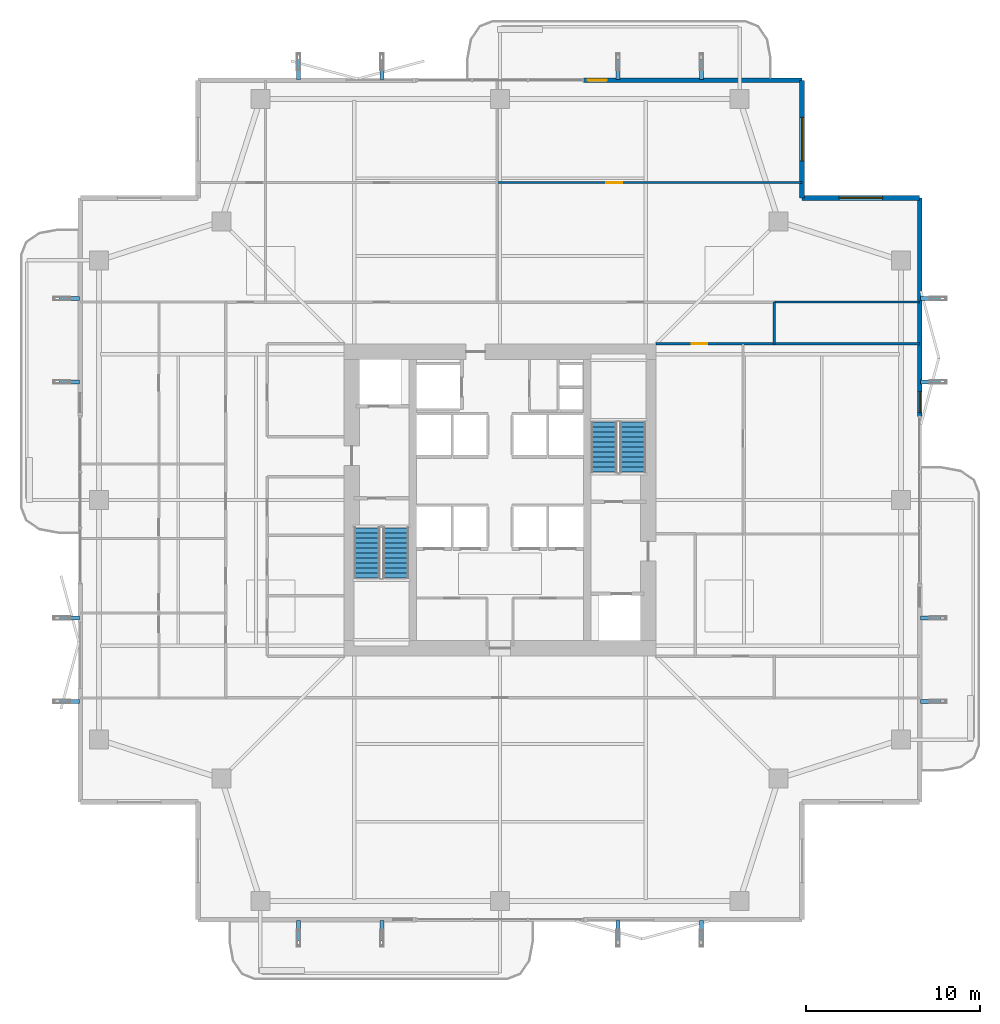
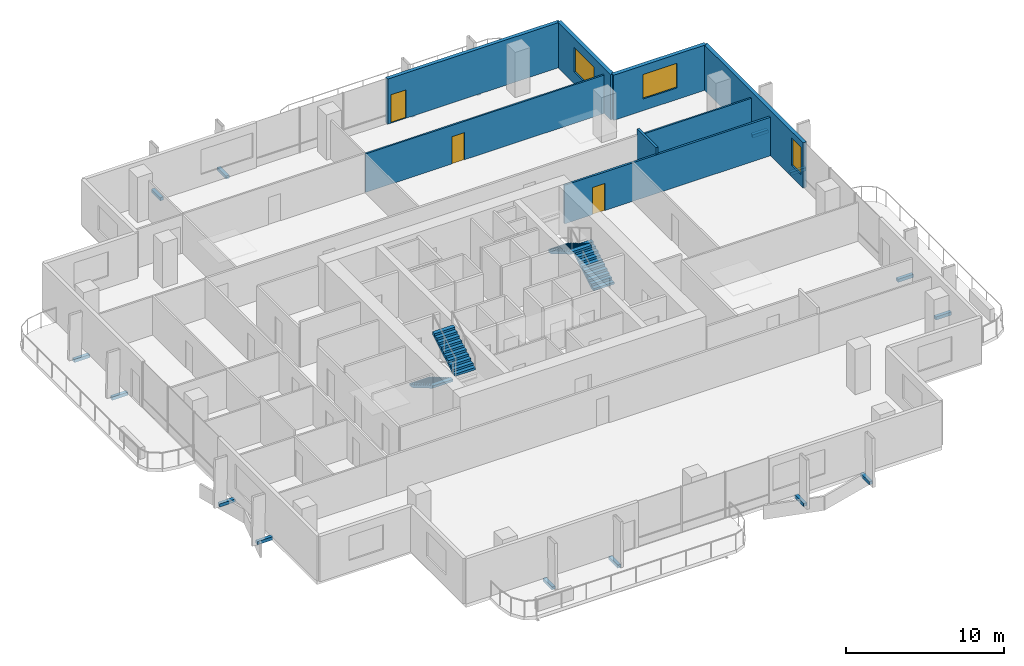
# One storey, part 22 of 25: 16 discrete accessories, 8 walls, 4 stair flights, 3 doors, 3 windows, 6 openings, 2 elements without a shape of their own.
"""IFC4 building model written with IfcOpenShell, lengths in metres."""

from ifc_helpers import new_model, si_unit, direction, frame, frame_2d, origin, origin_2d, place, context, subcontext, project, spatial, polyline, rectangle, outline, extrude, material, layer, layer_set, type_object, element, fill, aggregate, save


model = new_model("IFC4")

# Units and contexts
model_context = context("Model", 3, precision=1e-05, world=origin(), true_north=direction((0.0, 1.0)))
body_context = subcontext(model_context, "Body", "Model", "MODEL_VIEW")
ifc_project = project(units=[si_unit("LENGTHUNIT", "METRE"), si_unit("AREAUNIT", "SQUARE_METRE"), si_unit("VOLUMEUNIT", "CUBIC_METRE"), si_unit("PLANEANGLEUNIT", "RADIAN"), si_unit("MASSUNIT", "GRAM", prefix="KILO")], contexts=[model_context])

# Site, building, storey
site_placement = place(None, origin())
site = spatial("IfcSite", under=ifc_project, at=site_placement, CompositionType="ELEMENT")
building_placement = place(site_placement, origin())
building = spatial("IfcBuilding", under=site, at=building_placement, Name="Belovzor Exchange Tower", CompositionType="ELEMENT")
storey_placement = place(building_placement, frame((0.0, 0.0, 172.050048828125)))
storey = spatial("IfcBuildingStorey", under=building, at=storey_placement, Name="L42", CompositionType="ELEMENT", Elevation=172.050048828125)

# Wall, opening, door
ifc_material_1 = material(Name="Acoustic Plasterboard on Galvanised Studs", Category="gypsum")
ifc_layer_1 = layer(ifc_material_1, 0.1201171875)
ifc_layer_set_1 = layer_set([ifc_layer_1], Name="Acoustic Plasterboard on Galvanised Studs")
wall_type_1 = type_object("IfcWallType", Name="Acoustic Double-Stud Partition Wall 120", PredefinedType="PARTITIONING", material=ifc_layer_set_1)
wall_1_placement = place(storey_placement, frame((28.631103515625, 47.0830078125, 0.0), z_axis=(0.0, 0.0, 1.0), x_axis=(1.0, 0.0, 0.0)))
wall_1 = element("IfcWall", 1, at=wall_1_placement, inside=storey, type_object=wall_type_1, Name="W-P120 Partition Wall W-L42-NHDIV-2", PredefinedType="PARTITIONING", context=body_context, shape_type="SweptSolid", body=[
    extrude(rectangle(XDim=17.56884765625, YDim=0.1201171875, at=frame_2d((8.784423828125, 0.0))), origin(), (0.0, 0.0, 1.0), 2.97998046875),
])
opening_1_placement = place(wall_1_placement, frame((6.301025390625, 0.0, 0.0)))
opening_1 = element("IfcOpeningElement", 2, at=opening_1_placement, cuts=wall_1, Name="Opening D-INT-090", PredefinedType="OPENING", context=body_context, shape_type="SweptSolid", body=[
    extrude(rectangle(XDim=0.89990234375, YDim=2.10009765625, at=frame_2d((0.449951171875, 1.050048828125))), frame((0.0, 0.070068359375, 0.0), z_axis=(0.0, -1.0, 0.0), x_axis=(1.0, 0.0, 0.0)), (0.0, 0.0, 1.0), 0.14013671875),
])
ifc_material_2 = material(Name="Veneered Hardwood Acoustic Leaf", Category="wood")
door_type_1 = type_object("IfcDoorType", Name="Trading Suite Acoustic Single Door 900x2100", OperationType="NOTDEFINED", PredefinedType="DOOR", material=ifc_material_2)
door_1_placement = place(opening_1_placement, origin())
door_1 = element("IfcDoor", 3, at=door_1_placement, inside=storey, type_object=door_type_1, Name="D-INT-090 Trading Suite Acoustic Single Door 900x2100", OperationType="SINGLE_SWING_RIGHT", OverallHeight=2.10009765625, OverallWidth=0.89990234375, PredefinedType="DOOR", context=body_context, shape_type="SweptSolid", body=[
    extrude(rectangle(XDim=0.89990234375, YDim=2.10009765625, at=frame_2d((0.449951171875, 1.050048828125))), frame((0.0, 0.02490234375, 0.0), z_axis=(0.0, -1.0, 0.0), x_axis=(1.0, 0.0, 0.0)), (0.0, 0.0, 1.0), 0.050048828125),
])
fill(opening_1, door_1)

# Walls
wall_2_placement = place(storey_placement, frame((44.60009765625, 40.199951171875, 0.0), z_axis=(0.0, 0.0, 1.0), x_axis=(1.0, 0.0, 0.0)))
element("IfcWall", 4, at=wall_2_placement, inside=storey, type_object=wall_type_1, Name="W-P120 Partition Wall W-L42-END-NE", PredefinedType="PARTITIONING", context=body_context, shape_type="SweptSolid", body=[
    extrude(rectangle(XDim=8.369873046875, YDim=0.1201171875, at=frame_2d((4.18505859375, 0.0))), origin(), (0.0, 0.0, 1.0), 2.97998046875),
])
ifc_material_3 = material(Name="Fire-Rated Gypsum Block and Mineral Wool", Category="gypsum")
ifc_layer_2 = layer(ifc_material_3, 0.14990234375)
ifc_layer_set_2 = layer_set([ifc_layer_2], Name="Fire-Rated Gypsum Block and Mineral Wool")
wall_type_2 = type_object("IfcWallType", Name="Fire-Rated Gypsum Block Corridor Wall 150", PredefinedType="PARTITIONING", material=ifc_layer_set_2)
wall_3_placement = place(storey_placement, frame((44.60009765625, 37.800048828125, 0.0), z_axis=(0.0, 0.0, 1.0), x_axis=(0.0, 1.0, 0.0)))
element("IfcWall", 5, at=wall_3_placement, inside=storey, type_object=wall_type_2, Name="W-P150 Partition Wall W-L42-END-EN", PredefinedType="PARTITIONING", context=body_context, shape_type="SweptSolid", body=[
    extrude(rectangle(XDim=2.39990234375, YDim=0.14990234375, at=frame_2d((1.199951171875, 0.0))), origin(), (0.0, 0.0, 1.0), 3.494873046875),
])

# Wall, opening, door
wall_4_placement = place(storey_placement, frame((37.800048828125, 37.800048828125, 0.0), z_axis=(0.0, 0.0, 1.0), x_axis=(1.0, 0.0, 0.0)))
wall_4 = element("IfcWall", 6, at=wall_4_placement, inside=storey, type_object=wall_type_2, Name="W-P150 Partition Wall W-L42-CN-IN", PredefinedType="PARTITIONING", context=body_context, shape_type="SweptSolid", body=[
    extrude(rectangle(XDim=15.169921875, YDim=0.14990234375, at=frame_2d((7.5849609375, 0.0))), origin(), (0.0, 0.0, 1.0), 2.97998046875),
])
opening_2_placement = place(wall_4_placement, frame((2.050048828125, 0.0, 0.0)))
opening_2 = element("IfcOpeningElement", 7, at=opening_2_placement, cuts=wall_4, Name="Opening D-INT-090", PredefinedType="OPENING", context=body_context, shape_type="SweptSolid", body=[
    extrude(rectangle(XDim=0.89990234375, YDim=2.10009765625, at=frame_2d((0.449951171875, 1.050048828125))), frame((0.0, 0.0849609375, 0.0), z_axis=(0.0, -1.0, 0.0), x_axis=(1.0, 0.0, 0.0)), (0.0, 0.0, 1.0), 0.169921875),
])
door_2_placement = place(opening_2_placement, origin())
door_2 = element("IfcDoor", 8, at=door_2_placement, inside=storey, type_object=door_type_1, Name="D-INT-090 Trading Suite Acoustic Single Door 900x2100", OperationType="SINGLE_SWING_RIGHT", OverallHeight=2.10009765625, OverallWidth=0.89990234375, PredefinedType="DOOR", context=body_context, shape_type="SweptSolid", body=[
    extrude(rectangle(XDim=0.89990234375, YDim=2.10009765625, at=frame_2d((0.449951171875, 1.050048828125))), frame((0.0, 0.02490234375, 0.0), z_axis=(0.0, -1.0, 0.0), x_axis=(1.0, 0.0, 0.0)), (0.0, 0.0, 1.0), 0.050048828125),
])
fill(opening_2, door_2)

# Wall, opening, window
ifc_material_4 = material(Name="Precast concrete C40/50", Category="concrete")
ifc_layer_3 = layer(ifc_material_4, 0.280029296875)
ifc_layer_set_3 = layer_set([ifc_layer_3], Name="Precast concrete C40/50")
wall_type_3 = type_object("IfcWallType", Name="Precast Concrete Notched Corner Frame Wall 280", PredefinedType="SOLIDWALL", material=ifc_layer_set_3)
wall_5_placement = place(storey_placement, frame((46.199951171875, 52.969970703125, 0.0), z_axis=(0.0, 0.0, 1.0), x_axis=(0.0, -1.0, 0.0)))
wall_5 = element("IfcWall", 9, at=wall_5_placement, inside=storey, type_object=wall_type_3, Name="W-CRN280 Precast Concrete Notched Corner Frame Wall 280 L42", PredefinedType="SOLIDWALL", context=body_context, shape_type="SweptSolid", body=[
    extrude(rectangle(XDim=6.77001953125, YDim=0.280029296875, at=frame_2d((3.385009765625, 0.0))), origin(), (0.0, 0.0, 1.0), 3.494873046875),
])
opening_3_placement = place(wall_5_placement, frame((2.135009765625, 0.0, 0.89990234375)))
opening_3 = element("IfcOpeningElement", 10, at=opening_3_placement, cuts=wall_5, Name="Opening WN-CRN250", PredefinedType="OPENING", context=body_context, shape_type="SweptSolid", body=[
    extrude(rectangle(XDim=2.5, YDim=1.89990234375, at=frame_2d((1.25, 0.949951171875))), frame((0.0, 0.14990234375, 0.0), z_axis=(0.0, -1.0, 0.0), x_axis=(1.0, 0.0, 0.0)), (0.0, 0.0, 1.0), 0.300048828125),
])
ifc_material_5 = material(Name="Thermally Broken Aluminium and Triple Glazing", Category="aluminium")
window_type_1 = type_object("IfcWindowType", Name="Streamline Moderne Corner Wrap Ribbon Window 2500x1900", PartitioningType="SINGLE_PANEL", PredefinedType="WINDOW", material=ifc_material_5)
window_1_placement = place(opening_3_placement, origin())
window_1 = element("IfcWindow", 11, at=window_1_placement, inside=storey, type_object=window_type_1, Name="WN-CRN250 Streamline Moderne Corner Wrap Ribbon Window 2500x1900", OverallHeight=1.89990234375, OverallWidth=2.5, PartitioningType="SINGLE_PANEL", PredefinedType="WINDOW", context=body_context, shape_type="SweptSolid", body=[
    extrude(rectangle(XDim=2.5, YDim=1.89990234375, at=frame_2d((1.25, 0.949951171875))), frame((0.0, 0.030029296875, 0.0), z_axis=(0.0, -1.0, 0.0), x_axis=(1.0, 0.0, 0.0)), (0.0, 0.0, 1.0), 0.06005859375),
])
fill(opening_3, window_1)

wall_6_placement = place(storey_placement, frame((46.199951171875, 46.199951171875, 0.0), z_axis=(0.0, 0.0, 1.0), x_axis=(1.0, 0.0, 0.0)))
wall_6 = element("IfcWall", 12, at=wall_6_placement, inside=storey, type_object=wall_type_3, Name="W-CRN280 Precast Concrete Notched Corner Frame Wall 280 L42", PredefinedType="SOLIDWALL", context=body_context, shape_type="SweptSolid", body=[
    extrude(rectangle(XDim=6.77001953125, YDim=0.280029296875, at=frame_2d((3.385009765625, 0.0))), origin(), (0.0, 0.0, 1.0), 3.494873046875),
])
opening_4_placement = place(wall_6_placement, frame((2.135009765625, 0.0, 0.89990234375)))
opening_4 = element("IfcOpeningElement", 13, at=opening_4_placement, cuts=wall_6, Name="Opening WN-CRN250", PredefinedType="OPENING", context=body_context, shape_type="SweptSolid", body=[
    extrude(rectangle(XDim=2.5, YDim=1.89990234375, at=frame_2d((1.25, 0.949951171875))), frame((0.0, 0.14990234375, 0.0), z_axis=(0.0, -1.0, 0.0), x_axis=(1.0, 0.0, 0.0)), (0.0, 0.0, 1.0), 0.300048828125),
])
window_2_placement = place(opening_4_placement, origin())
window_2 = element("IfcWindow", 14, at=window_2_placement, inside=storey, type_object=window_type_1, Name="WN-CRN250 Streamline Moderne Corner Wrap Ribbon Window 2500x1900", OverallHeight=1.89990234375, OverallWidth=2.5, PartitioningType="SINGLE_PANEL", PredefinedType="WINDOW", context=body_context, shape_type="SweptSolid", body=[
    extrude(rectangle(XDim=2.5, YDim=1.89990234375, at=frame_2d((1.25, 0.949951171875))), frame((0.0, 0.030029296875, 0.0), z_axis=(0.0, -1.0, 0.0), x_axis=(1.0, 0.0, 0.0)), (0.0, 0.0, 1.0), 0.06005859375),
])
fill(opening_4, window_2)

# Wall, opening, door
ifc_material_6 = material(Name="Precast concrete C40/50", Category="concrete")
ifc_layer_4 = layer(ifc_material_6, 0.260009765625)
ifc_layer_set_4 = layer_set([ifc_layer_4], Name="Precast concrete C40/50")
wall_type_4 = type_object("IfcWallType", Name="Precast Concrete Perimeter Loggia Frame Wall 260", PredefinedType="SOLIDWALL", material=ifc_layer_set_4)
wall_7_placement = place(storey_placement, frame((33.60009765625, 52.969970703125, 0.0), z_axis=(0.0, 0.0, 1.0), x_axis=(1.0, 0.0, 0.0)))
wall_7 = element("IfcWall", 15, at=wall_7_placement, inside=storey, type_object=wall_type_4, Name="W-EXT260 Precast Concrete Perimeter Loggia Frame Wall 260 L42", PredefinedType="SOLIDWALL", context=body_context, shape_type="SweptSolid", body=[
    extrude(rectangle(XDim=12.599853515625, YDim=0.260009765625, at=frame_2d((6.2998046875, 0.0))), origin(), (0.0, 0.0, 1.0), 3.494873046875),
])
opening_5_placement = place(wall_7_placement, frame((0.25, 0.0, 0.0)))
opening_5 = element("IfcOpeningElement", 16, at=opening_5_placement, cuts=wall_7, Name="Opening D-BAL110", PredefinedType="OPENING", context=body_context, shape_type="SweptSolid", body=[
    extrude(rectangle(XDim=1.10009765625, YDim=2.199951171875, at=frame_2d((0.550048828125, 1.10009765625))), frame((0.0, 0.139892578125, 0.0), z_axis=(0.0, -1.0, 0.0), x_axis=(1.0, 0.0, 0.0)), (0.0, 0.0, 1.0), 0.280029296875),
])
ifc_material_7 = material(Name="Thermally Broken Anodised Aluminium and Laminated Glass", Category="aluminium")
door_type_2 = type_object("IfcDoorType", Name="Planted Loggia Terrace Glazed Door 1100x2200", OperationType="SINGLE_SWING_LEFT", PredefinedType="DOOR", material=ifc_material_7)
door_3_placement = place(opening_5_placement, origin())
door_3 = element("IfcDoor", 17, at=door_3_placement, inside=storey, type_object=door_type_2, Name="D-BAL110 Balcony Terrace Door L42 N", OperationType="SINGLE_SWING_RIGHT", OverallHeight=2.199951171875, OverallWidth=1.10009765625, PredefinedType="DOOR", context=body_context, shape_type="SweptSolid", body=[
    extrude(rectangle(XDim=1.10009765625, YDim=2.199951171875, at=frame_2d((0.550048828125, 1.10009765625))), frame((0.0, 0.02490234375, 0.0), z_axis=(0.0, -1.0, 0.0), x_axis=(1.0, 0.0, 0.0)), (0.0, 0.0, 1.0), 0.050048828125),
])
fill(opening_5, door_3)

# Wall, opening, window
wall_8_placement = place(storey_placement, frame((52.969970703125, 46.199951171875, 0.0), z_axis=(0.0, 0.0, 1.0), x_axis=(0.0, -1.0, 0.0)))
wall_8 = element("IfcWall", 18, at=wall_8_placement, inside=storey, type_object=wall_type_4, Name="W-EXT260 Precast Concrete Perimeter Loggia Frame Wall 260 L42", PredefinedType="SOLIDWALL", context=body_context, shape_type="SweptSolid", body=[
    extrude(rectangle(XDim=12.599853515625, YDim=0.260009765625, at=frame_2d((6.2998046875, 0.0))), origin(), (0.0, 0.0, 1.0), 3.494873046875),
])
opening_6_placement = place(wall_8_placement, frame((11.14990234375, 0.0, 0.89990234375)))
opening_6 = element("IfcOpeningElement", 19, at=opening_6_placement, cuts=wall_8, Name="Opening WN-CRN120", PredefinedType="OPENING", context=body_context, shape_type="SweptSolid", body=[
    extrude(rectangle(XDim=1.199951171875, YDim=2.10009765625, at=frame_2d((0.60009765625, 1.050048828125))), frame((0.0, 0.139892578125, 0.0), z_axis=(0.0, -1.0, 0.0), x_axis=(1.0, 0.0, 0.0)), (0.0, 0.0, 1.0), 0.280029296875),
])
ifc_material_8 = material(Name="Thermally Broken Aluminium and Triple Glazing", Category="aluminium")
window_type_2 = type_object("IfcWindowType", Name="Streamline Notched Corner Window 1200x2100", PartitioningType="SINGLE_PANEL", PredefinedType="WINDOW", material=ifc_material_8)
window_3_placement = place(opening_6_placement, origin())
window_3 = element("IfcWindow", 20, at=window_3_placement, inside=storey, type_object=window_type_2, Name="WN-CRN120 Streamline Notched Corner Window 1200x2100", OverallHeight=2.10009765625, OverallWidth=1.199951171875, PartitioningType="SINGLE_PANEL", PredefinedType="WINDOW", context=body_context, shape_type="SweptSolid", body=[
    extrude(rectangle(XDim=1.199951171875, YDim=2.10009765625, at=frame_2d((0.60009765625, 1.050048828125))), frame((0.0, 0.030029296875, 0.0), z_axis=(0.0, -1.0, 0.0), x_axis=(1.0, 0.0, 0.0)), (0.0, 0.0, 1.0), 0.06005859375),
])
fill(opening_6, window_3)

# Stair, stair flights
ifc_material_9 = material(Name="Concrete C40/50", Category="concrete")
stair_type = type_object("IfcStairType", Name="Reinforced Concrete Dogleg Escape Stair 1350", PredefinedType="HALF_TURN_STAIR", material=ifc_material_9)
stair_1_placement = place(storey_placement, origin())
stair_1 = element("IfcStair", 21, at=stair_1_placement, inside=storey, type_object=stair_type, Name="L42 ST-1", PredefinedType="HALF_TURN_STAIR")
ifc_material_10 = material(Name="Concrete C40/50", Category="concrete")
stair_flight_type = type_object("IfcStairFlightType", Name="Reinforced Concrete Stair Flight 1350", PredefinedType="STRAIGHT", material=ifc_material_10)
stair_flight_1_placement = place(storey_placement, frame((21.14990234375, 27.199951171875, 0.0), z_axis=(0.0, 0.0, 1.0), x_axis=(0.0, -1.0, 0.0)))
stair_flight_1 = element("IfcStairFlight", 22, at=stair_flight_1_placement, type_object=stair_flight_type, Name="ST-1 flight 1", NumberOfRisers=11, NumberOfTreads=10, PredefinedType="STRAIGHT", RiserHeight=0.170454545, TreadLength=0.29, context=body_context, shape_type="SweptSolid", body=[
    extrude(outline(polyline([(0.0, 0.0), (0.0, 0.17041015625), (0.2900390625, 0.17041015625), (0.2900390625, 0.3408203125), (0.580078125, 0.3408203125), (0.580078125, 0.511474609375), (0.8701171875, 0.511474609375), (0.8701171875, 0.681884765625), (1.159912109375, 0.681884765625), (1.159912109375, 0.852294921875), (1.449951171875, 0.852294921875), (1.449951171875, 1.022705078125), (1.739990234375, 1.022705078125), (1.739990234375, 1.193115234375), (2.030029296875, 1.193115234375), (2.030029296875, 1.363525390625), (2.320068359375, 1.363525390625), (2.320068359375, 1.5341796875), (2.610107421875, 1.5341796875), (2.610107421875, 1.70458984375), (2.89990234375, 1.70458984375), (2.89990234375, 1.875), (2.89990234375, 1.53076171875), (0.2958984375, 0.0), (0.0, 0.0)])), frame((0.0, 0.75, 0.0), z_axis=(0.0, -1.0, 0.0), x_axis=(1.0, 0.0, 0.0)), (0.0, 0.0, 1.0), 1.5),
])
stair_flight_2_placement = place(storey_placement, frame((22.800048828125, 24.300048828125, 1.875), z_axis=(0.0, 0.0, 1.0), x_axis=(0.0, 1.0, 0.0)))
stair_flight_2 = element("IfcStairFlight", 23, at=stair_flight_2_placement, type_object=stair_flight_type, Name="ST-1 flight 2", NumberOfRisers=11, NumberOfTreads=10, PredefinedType="STRAIGHT", RiserHeight=0.170454545, TreadLength=0.29, context=body_context, shape_type="SweptSolid", body=[
    extrude(outline(polyline([(0.0, 0.0), (0.0, 0.17041015625), (0.2900390625, 0.17041015625), (0.2900390625, 0.3408203125), (0.580078125, 0.3408203125), (0.580078125, 0.511474609375), (0.8701171875, 0.511474609375), (0.8701171875, 0.681884765625), (1.159912109375, 0.681884765625), (1.159912109375, 0.852294921875), (1.449951171875, 0.852294921875), (1.449951171875, 1.022705078125), (1.739990234375, 1.022705078125), (1.739990234375, 1.193115234375), (2.030029296875, 1.193115234375), (2.030029296875, 1.363525390625), (2.320068359375, 1.363525390625), (2.320068359375, 1.5341796875), (2.610107421875, 1.5341796875), (2.610107421875, 1.70458984375), (2.89990234375, 1.70458984375), (2.89990234375, 1.875), (2.89990234375, 1.53076171875), (0.2958984375, 0.0), (0.0, 0.0)])), frame((0.0, 0.75, 0.0), z_axis=(0.0, -1.0, 0.0), x_axis=(1.0, 0.0, 0.0)), (0.0, 0.0, 1.0), 1.5),
])
aggregate(stair_1, [stair_flight_1, stair_flight_2])

stair_2_placement = place(storey_placement, origin())
stair_2 = element("IfcStair", 24, at=stair_2_placement, inside=storey, type_object=stair_type, Name="L42 ST-2", PredefinedType="HALF_TURN_STAIR")
stair_flight_3_placement = place(storey_placement, frame((36.449951171875, 30.39990234375, 0.0), z_axis=(0.0, 0.0, 1.0), x_axis=(0.0, 1.0, 0.0)))
stair_flight_3 = element("IfcStairFlight", 25, at=stair_flight_3_placement, type_object=stair_flight_type, Name="ST-2 flight 1", NumberOfRisers=11, NumberOfTreads=10, PredefinedType="STRAIGHT", RiserHeight=0.170454545, TreadLength=0.29, context=body_context, shape_type="SweptSolid", body=[
    extrude(outline(polyline([(0.0, 0.0), (0.0, 0.17041015625), (0.2900390625, 0.17041015625), (0.2900390625, 0.3408203125), (0.580078125, 0.3408203125), (0.580078125, 0.511474609375), (0.8701171875, 0.511474609375), (0.8701171875, 0.681884765625), (1.159912109375, 0.681884765625), (1.159912109375, 0.852294921875), (1.449951171875, 0.852294921875), (1.449951171875, 1.022705078125), (1.739990234375, 1.022705078125), (1.739990234375, 1.193115234375), (2.030029296875, 1.193115234375), (2.030029296875, 1.363525390625), (2.320068359375, 1.363525390625), (2.320068359375, 1.5341796875), (2.610107421875, 1.5341796875), (2.610107421875, 1.70458984375), (2.89990234375, 1.70458984375), (2.89990234375, 1.875), (2.89990234375, 1.53076171875), (0.2958984375, 0.0), (0.0, 0.0)])), frame((0.0, 0.75, 0.0), z_axis=(0.0, -1.0, 0.0), x_axis=(1.0, 0.0, 0.0)), (0.0, 0.0, 1.0), 1.5),
])
stair_flight_4_placement = place(storey_placement, frame((34.800048828125, 33.300048828125, 1.875), z_axis=(0.0, 0.0, 1.0), x_axis=(0.0, -1.0, 0.0)))
stair_flight_4 = element("IfcStairFlight", 26, at=stair_flight_4_placement, type_object=stair_flight_type, Name="ST-2 flight 2", NumberOfRisers=11, NumberOfTreads=10, PredefinedType="STRAIGHT", RiserHeight=0.170454545, TreadLength=0.29, context=body_context, shape_type="SweptSolid", body=[
    extrude(outline(polyline([(0.0, 0.0), (0.0, 0.17041015625), (0.2900390625, 0.17041015625), (0.2900390625, 0.3408203125), (0.580078125, 0.3408203125), (0.580078125, 0.511474609375), (0.8701171875, 0.511474609375), (0.8701171875, 0.681884765625), (1.159912109375, 0.681884765625), (1.159912109375, 0.852294921875), (1.449951171875, 0.852294921875), (1.449951171875, 1.022705078125), (1.739990234375, 1.022705078125), (1.739990234375, 1.193115234375), (2.030029296875, 1.193115234375), (2.030029296875, 1.363525390625), (2.320068359375, 1.363525390625), (2.320068359375, 1.5341796875), (2.610107421875, 1.5341796875), (2.610107421875, 1.70458984375), (2.89990234375, 1.70458984375), (2.89990234375, 1.875), (2.89990234375, 1.53076171875), (0.2958984375, 0.0), (0.0, 0.0)])), frame((0.0, 0.75, 0.0), z_axis=(0.0, -1.0, 0.0), x_axis=(1.0, 0.0, 0.0)), (0.0, 0.0, 1.0), 1.5),
])
aggregate(stair_2, [stair_flight_3, stair_flight_4])

# Discrete accessories
ifc_material_11 = material(Name="Stainless Steel Grade 316", Category="steel")
ifc_layer_5 = layer(ifc_material_11, 0.179931640625)
ifc_layer_set_5 = layer_set([ifc_layer_5], Name="Stainless Steel Grade 316")
discrete_accessory_type = type_object("IfcDiscreteAccessoryType", Name="Stainless Steel Facade Outrigger Fixing Bracket", PredefinedType="BRACKET", material=ifc_layer_set_5)
for number, where, z_axis, x_axis, name in (
    (27, (17.199951171875, 4.010009765625, -0.2470703125), (0.0, 0.0, 1.0), (0.0, 1.0, 0.0), "BRK-FIN1 Sweeping Fin Outrigger Bracket L42 S1"),
    (28, (17.199951171875, 53.591064453125, -0.2470703125), (0.0, 0.0, 1.0), (0.0, 1.0, 0.0), "BRK-FIN1 Sweeping Fin Outrigger Bracket L42 N1"),
    (29, (4.010009765625, 17.199951171875, -0.2470703125), (0.0, 0.0, 1.0), (1.0, 0.0, 0.0), "BRK-FIN1 Sweeping Fin Outrigger Bracket L42 W1"),
    (30, (53.591064453125, 17.199951171875, -0.2470703125), (0.0, 0.0, 1.0), (1.0, 0.0, 0.0), "BRK-FIN1 Sweeping Fin Outrigger Bracket L42 E1"),
    (31, (22.0, 4.010009765625, -0.2470703125), (0.0, 0.0, 1.0), (0.0, 1.0, 0.0), "BRK-FIN1 Sweeping Fin Outrigger Bracket L42 S2"),
    (32, (22.0, 53.591064453125, -0.2470703125), (0.0, 0.0, 1.0), (0.0, 1.0, 0.0), "BRK-FIN1 Sweeping Fin Outrigger Bracket L42 N2"),
    (33, (4.010009765625, 22.0, -0.2470703125), (0.0, 0.0, 1.0), (1.0, 0.0, 0.0), "BRK-FIN1 Sweeping Fin Outrigger Bracket L42 W2"),
    (34, (53.591064453125, 22.0, -0.2470703125), (0.0, 0.0, 1.0), (1.0, 0.0, 0.0), "BRK-FIN1 Sweeping Fin Outrigger Bracket L42 E2"),
    (35, (35.60009765625, 4.010009765625, -0.2470703125), (0.0, 0.0, 1.0), (0.0, 1.0, 0.0), "BRK-FIN1 Sweeping Fin Outrigger Bracket L42 S3"),
    (36, (35.60009765625, 53.591064453125, -0.2470703125), (0.0, 0.0, 1.0), (0.0, 1.0, 0.0), "BRK-FIN1 Sweeping Fin Outrigger Bracket L42 N3"),
    (37, (4.010009765625, 35.60009765625, -0.2470703125), (0.0, 0.0, 1.0), (1.0, 0.0, 0.0), "BRK-FIN1 Sweeping Fin Outrigger Bracket L42 W3"),
    (38, (53.591064453125, 35.60009765625, -0.2470703125), (0.0, 0.0, 1.0), (1.0, 0.0, 0.0), "BRK-FIN1 Sweeping Fin Outrigger Bracket L42 E3"),
    (39, (40.39990234375, 4.010009765625, -0.2470703125), (0.0, 0.0, 1.0), (0.0, 1.0, 0.0), "BRK-FIN1 Sweeping Fin Outrigger Bracket L42 S4"),
    (40, (40.39990234375, 53.591064453125, -0.2470703125), (0.0, 0.0, 1.0), (0.0, 1.0, 0.0), "BRK-FIN1 Sweeping Fin Outrigger Bracket L42 N4"),
    (41, (4.010009765625, 40.39990234375, -0.2470703125), (0.0, 0.0, 1.0), (1.0, 0.0, 0.0), "BRK-FIN1 Sweeping Fin Outrigger Bracket L42 W4"),
    (42, (53.591064453125, 40.39990234375, -0.2470703125), (0.0, 0.0, 1.0), (1.0, 0.0, 0.0), "BRK-FIN1 Sweeping Fin Outrigger Bracket L42 E4"),
):
    element("IfcDiscreteAccessory", number, at=place(storey_placement, frame(where, z_axis=z_axis, x_axis=x_axis)), inside=storey, type_object=discrete_accessory_type, Name=name, PredefinedType="BRACKET", context=body_context, shape_type="SweptSolid", body=[
        extrude(rectangle(XDim=1.14111328125, YDim=0.239990234375, at=origin_2d()), origin(), (0.0, 0.0, 1.0), 0.239990234375),
    ])

save(model, "model.ifc")
